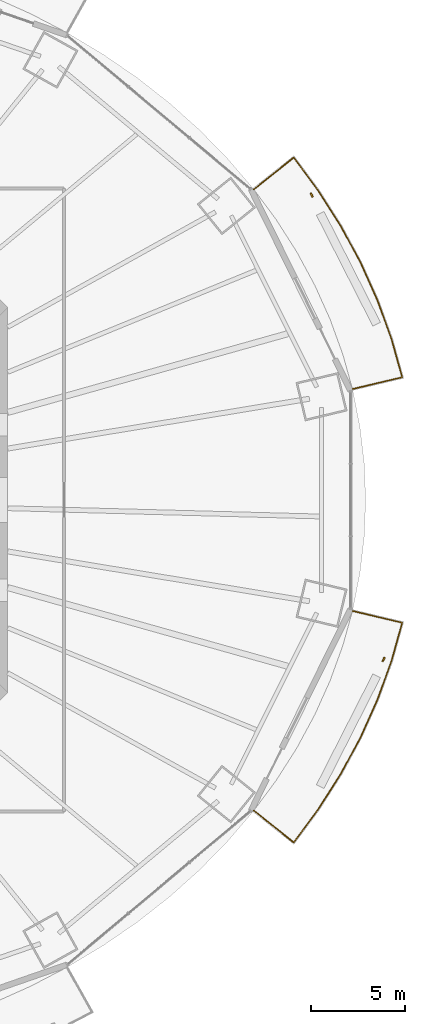
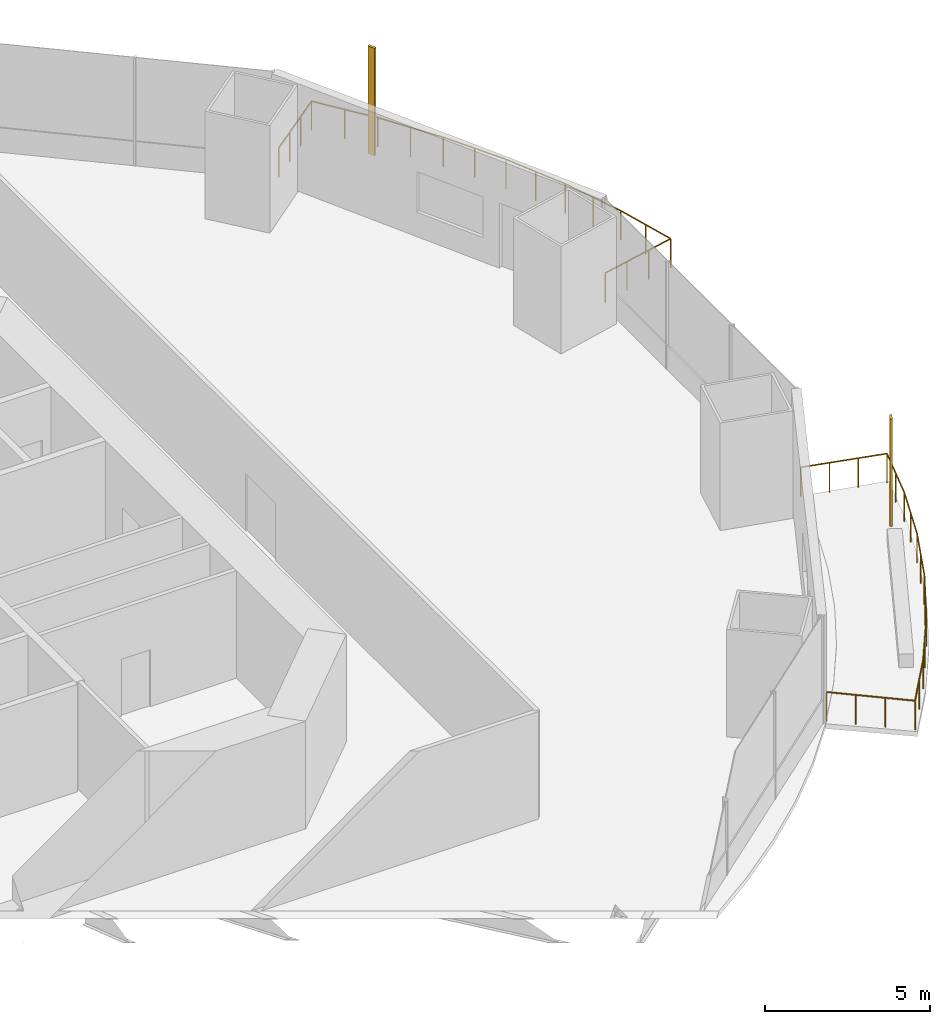
# One storey, part 21 of 22: 2 railings, 2 shading devices.
"""IFC4 building model written with IfcOpenShell, lengths in metres."""

from ifc_helpers import new_model, si_unit, direction, frame, origin, origin_2d, place, context, subcontext, project, spatial, rectangle, circle, extrude, material, material_profile, profile_set, type_object, element, save


model = new_model("IFC4")

# Units and contexts
model_context = context("Model", 3, precision=1e-05, world=origin(), true_north=direction((0.0, 1.0)))
body_context = subcontext(model_context, "Body", "Model", "MODEL_VIEW")
ifc_project = project(units=[si_unit("LENGTHUNIT", "METRE"), si_unit("AREAUNIT", "SQUARE_METRE"), si_unit("VOLUMEUNIT", "CUBIC_METRE"), si_unit("PLANEANGLEUNIT", "RADIAN"), si_unit("MASSUNIT", "GRAM", prefix="KILO")], contexts=[model_context])

# Site, building, storey
site_placement = place(None, origin())
site = spatial("IfcSite", under=ifc_project, at=site_placement, CompositionType="ELEMENT")
building_placement = place(site_placement, origin())
building = spatial("IfcBuilding", under=site, at=building_placement, Name="Marenthal Gate Tower", CompositionType="ELEMENT")
storey_placement = place(building_placement, frame((0.0, 0.0, 78.64990234375)))
storey = spatial("IfcBuildingStorey", under=building, at=storey_placement, Name="L15", CompositionType="ELEMENT", Elevation=78.64990234375)

# Railings
ifc_material_1 = material(Name="Stainless steel", Category="steel")
railing_type = type_object("IfcRailingType", Name="Balcony guard 1100", PredefinedType="GUARDRAIL", material=ifc_material_1)
railing_1_placement = place(storey_placement, frame((29.7109375, 16.55126953125, 0.0)))
element("IfcRailing", 1, at=railing_1_placement, inside=storey, type_object=railing_type, Name="Balcony guard L15 bay 1", PredefinedType="GUARDRAIL", context=body_context, shape_type="SweptSolid", body=[
    extrude(circle(Radius=0.02392578125, at=origin_2d()), frame((0.0, 0.0, 1.076171875), z_axis=(0.782140551652, 0.622930300519, -0.014628675837), x_axis=(-0.622996964186, 0.782224253405, 0.0)), (0.0, 0.0, 1.0), 2.72021484375),
    extrude(circle(Radius=0.02392578125, at=origin_2d()), frame((2.127685546875, 1.694580078125, 1.0361328125), z_axis=(0.594680833833, -0.803961880857, 0.0), x_axis=(0.803961880857, 0.594680833833, 0.0)), (0.0, 0.0, 1.0), 2.17919921875),
    extrude(circle(Radius=0.02392578125, at=origin_2d()), frame((3.423583984375, -0.057373046875, 1.0361328125), z_axis=(0.53758735843, -0.843208059767, 0.0), x_axis=(0.843208059767, 0.53758735843, 0.0)), (0.0, 0.0, 1.0), 2.24072265625),
    extrude(circle(Radius=0.02392578125, at=origin_2d()), frame((4.628173828125, -1.94677734375, 1.0361328125), z_axis=(0.475441262736, -0.879747466997, 0.0), x_axis=(0.879747466997, 0.475441262736, 0.0)), (0.0, 0.0, 1.0), 2.223876953125),
    extrude(circle(Radius=0.02392578125, at=origin_2d()), frame((5.685546875, -3.9033203125, 1.0361328125), z_axis=(0.409519083019, -0.912301551376, 0.0), x_axis=(0.912301551376, 0.409519083019, 0.0)), (0.0, 0.0, 1.0), 2.20947265625),
    extrude(circle(Radius=0.02392578125, at=origin_2d()), frame((6.59033203125, -5.9189453125, 1.0361328125), z_axis=(0.340269936614, -0.940327799353, 0.0), x_axis=(0.940327799353, 0.340269936614, 0.0)), (0.0, 0.0, 1.0), 2.1962890625),
    extrude(circle(Radius=0.02392578125, at=origin_2d()), frame((7.337646484375, -7.984130859375, 1.0361328125), z_axis=(0.26934176956, -0.963044656893, 0.0), x_axis=(0.963044656893, 0.26934176956, 0.0)), (0.0, 0.0, 1.0), 2.105712890625),
    extrude(circle(Radius=0.02392578125, at=origin_2d()), frame((7.90478515625, -10.011962890625, 1.0361328125), z_axis=(-0.972923153232, -0.23066536013, 0.014629748522), x_axis=(0.230690048693, -0.973027287096, 0.0)), (0.0, 0.0, 1.0), 2.72021484375),
    extrude(circle(Radius=0.02099609375, at=origin_2d()), origin(), (0.0, 0.0, 1.0), 1.052001953125),
    extrude(circle(Radius=0.02099609375, at=origin_2d()), frame((0.709228515625, 0.56494140625, -0.01318359375)), (0.0, 0.0, 1.0), 1.052001953125),
    extrude(circle(Radius=0.02099609375, at=origin_2d()), frame((1.41845703125, 1.129638671875, -0.026611328125)), (0.0, 0.0, 1.0), 1.052001953125),
    extrude(circle(Radius=0.02099609375, at=origin_2d()), frame((2.127685546875, 1.694580078125, -0.039794921875)), (0.0, 0.0, 1.0), 1.052001953125),
    extrude(circle(Radius=0.02099609375, at=origin_2d()), frame((2.775634765625, 0.818603515625, -0.039794921875)), (0.0, 0.0, 1.0), 1.052001953125),
    extrude(circle(Radius=0.02099609375, at=origin_2d()), frame((3.423583984375, -0.057373046875, -0.039794921875)), (0.0, 0.0, 1.0), 1.052001953125),
    extrude(circle(Radius=0.02099609375, at=origin_2d()), frame((4.02587890625, -1.001953125, -0.039794921875)), (0.0, 0.0, 1.0), 1.052001953125),
    extrude(circle(Radius=0.02099609375, at=origin_2d()), frame((4.628173828125, -1.94677734375, -0.039794921875)), (0.0, 0.0, 1.0), 1.052001953125),
    extrude(circle(Radius=0.02099609375, at=origin_2d()), frame((5.15673828125, -2.925048828125, -0.039794921875)), (0.0, 0.0, 1.0), 1.052001953125),
    extrude(circle(Radius=0.02099609375, at=origin_2d()), frame((5.685546875, -3.9033203125, -0.039794921875)), (0.0, 0.0, 1.0), 1.052001953125),
    extrude(circle(Radius=0.02099609375, at=origin_2d()), frame((6.137939453125, -4.9111328125, -0.039794921875)), (0.0, 0.0, 1.0), 1.052001953125),
    extrude(circle(Radius=0.02099609375, at=origin_2d()), frame((6.59033203125, -5.9189453125, -0.039794921875)), (0.0, 0.0, 1.0), 1.052001953125),
    extrude(circle(Radius=0.02099609375, at=origin_2d()), frame((6.9638671875, -6.95166015625, -0.039794921875)), (0.0, 0.0, 1.0), 1.052001953125),
    extrude(circle(Radius=0.02099609375, at=origin_2d()), frame((7.337646484375, -7.984130859375, -0.039794921875)), (0.0, 0.0, 1.0), 1.052001953125),
    extrude(circle(Radius=0.02099609375, at=origin_2d()), frame((7.62109375, -8.998046875, -0.039794921875)), (0.0, 0.0, 1.0), 1.052001953125),
    extrude(circle(Radius=0.02099609375, at=origin_2d()), frame((7.90478515625, -10.011962890625, -0.039794921875)), (0.0, 0.0, 1.0), 1.052001953125),
    extrude(circle(Radius=0.02099609375, at=origin_2d()), frame((7.022705078125, -10.22119140625, -0.026611328125)), (0.0, 0.0, 1.0), 1.052001953125),
    extrude(circle(Radius=0.02099609375, at=origin_2d()), frame((6.140380859375, -10.43017578125, -0.01318359375)), (0.0, 0.0, 1.0), 1.052001953125),
    extrude(circle(Radius=0.02099609375, at=origin_2d()), frame((5.25830078125, -10.639404296875, 0.0)), (0.0, 0.0, 1.0), 1.052001953125),
])
railing_2_placement = place(storey_placement, frame((34.96923828125, -5.911865234375, 0.0)))
element("IfcRailing", 2, at=railing_2_placement, inside=storey, type_object=railing_type, Name="Balcony guard L15 bay 15", PredefinedType="GUARDRAIL", context=body_context, shape_type="SweptSolid", body=[
    extrude(circle(Radius=0.02392578125, at=origin_2d()), frame((0.0, 0.0, 1.076171875), z_axis=(0.972923153232, -0.23066536013, -0.014629748522), x_axis=(0.230690048693, 0.973027287096, 0.0)), (0.0, 0.0, 1.0), 2.72021484375),
    extrude(circle(Radius=0.02392578125, at=origin_2d()), frame((2.646484375, -0.62744140625, 1.0361328125), z_axis=(-0.26934176956, -0.963044656893, 0.0), x_axis=(0.963044656893, -0.26934176956, 0.0)), (0.0, 0.0, 1.0), 2.105712890625),
    extrude(circle(Radius=0.02392578125, at=origin_2d()), frame((2.079345703125, -2.6552734375, 1.0361328125), z_axis=(-0.340269936614, -0.940327799353, 0.0), x_axis=(0.940327799353, -0.340269936614, 0.0)), (0.0, 0.0, 1.0), 2.1962890625),
    extrude(circle(Radius=0.02392578125, at=origin_2d()), frame((1.33203125, -4.720458984375, 1.0361328125), z_axis=(-0.409519083019, -0.912301551376, 0.0), x_axis=(0.912301551376, -0.409519083019, 0.0)), (0.0, 0.0, 1.0), 2.20947265625),
    extrude(circle(Radius=0.02392578125, at=origin_2d()), frame((0.42724609375, -6.736083984375, 1.0361328125), z_axis=(-0.475441262736, -0.879747466997, 0.0), x_axis=(0.879747466997, -0.475441262736, 0.0)), (0.0, 0.0, 1.0), 2.223876953125),
    extrude(circle(Radius=0.02392578125, at=origin_2d()), frame((-0.630126953125, -8.692626953125, 1.0361328125), z_axis=(-0.53758735843, -0.843208059767, 0.0), x_axis=(0.843208059767, -0.53758735843, 0.0)), (0.0, 0.0, 1.0), 2.24072265625),
    extrude(circle(Radius=0.02392578125, at=origin_2d()), frame((-1.834716796875, -10.58203125, 1.0361328125), z_axis=(-0.594680833833, -0.803961880857, 0.0), x_axis=(0.803961880857, -0.594680833833, 0.0)), (0.0, 0.0, 1.0), 2.17919921875),
    extrude(circle(Radius=0.02392578125, at=origin_2d()), frame((-3.130615234375, -12.333984375, 1.0361328125), z_axis=(-0.782140551652, 0.622930300519, 0.014628675837), x_axis=(-0.622996964186, -0.782224253405, 0.0)), (0.0, 0.0, 1.0), 2.72021484375),
    extrude(circle(Radius=0.02099609375, at=origin_2d()), origin(), (0.0, 0.0, 1.0), 1.052001953125),
    extrude(circle(Radius=0.02099609375, at=origin_2d()), frame((0.882080078125, -0.209228515625, -0.01318359375)), (0.0, 0.0, 1.0), 1.052001953125),
    extrude(circle(Radius=0.02099609375, at=origin_2d()), frame((1.764404296875, -0.418212890625, -0.026611328125)), (0.0, 0.0, 1.0), 1.052001953125),
    extrude(circle(Radius=0.02099609375, at=origin_2d()), frame((2.646484375, -0.62744140625, -0.039794921875)), (0.0, 0.0, 1.0), 1.052001953125),
    extrude(circle(Radius=0.02099609375, at=origin_2d()), frame((2.36279296875, -1.641357421875, -0.039794921875)), (0.0, 0.0, 1.0), 1.052001953125),
    extrude(circle(Radius=0.02099609375, at=origin_2d()), frame((2.079345703125, -2.6552734375, -0.039794921875)), (0.0, 0.0, 1.0), 1.052001953125),
    extrude(circle(Radius=0.02099609375, at=origin_2d()), frame((1.70556640625, -3.68798828125, -0.039794921875)), (0.0, 0.0, 1.0), 1.052001953125),
    extrude(circle(Radius=0.02099609375, at=origin_2d()), frame((1.33203125, -4.720458984375, -0.039794921875)), (0.0, 0.0, 1.0), 1.052001953125),
    extrude(circle(Radius=0.02099609375, at=origin_2d()), frame((0.879638671875, -5.728271484375, -0.039794921875)), (0.0, 0.0, 1.0), 1.052001953125),
    extrude(circle(Radius=0.02099609375, at=origin_2d()), frame((0.42724609375, -6.736083984375, -0.039794921875)), (0.0, 0.0, 1.0), 1.052001953125),
    extrude(circle(Radius=0.02099609375, at=origin_2d()), frame((-0.1015625, -7.71435546875, -0.039794921875)), (0.0, 0.0, 1.0), 1.052001953125),
    extrude(circle(Radius=0.02099609375, at=origin_2d()), frame((-0.630126953125, -8.692626953125, -0.039794921875)), (0.0, 0.0, 1.0), 1.052001953125),
    extrude(circle(Radius=0.02099609375, at=origin_2d()), frame((-1.232421875, -9.63720703125, -0.039794921875)), (0.0, 0.0, 1.0), 1.052001953125),
    extrude(circle(Radius=0.02099609375, at=origin_2d()), frame((-1.834716796875, -10.58203125, -0.039794921875)), (0.0, 0.0, 1.0), 1.052001953125),
    extrude(circle(Radius=0.02099609375, at=origin_2d()), frame((-2.482666015625, -11.4580078125, -0.039794921875)), (0.0, 0.0, 1.0), 1.052001953125),
    extrude(circle(Radius=0.02099609375, at=origin_2d()), frame((-3.130615234375, -12.333984375, -0.039794921875)), (0.0, 0.0, 1.0), 1.052001953125),
    extrude(circle(Radius=0.02099609375, at=origin_2d()), frame((-3.83984375, -11.76904296875, -0.026611328125)), (0.0, 0.0, 1.0), 1.052001953125),
    extrude(circle(Radius=0.02099609375, at=origin_2d()), frame((-4.549072265625, -11.204345703125, -0.01318359375)), (0.0, 0.0, 1.0), 1.052001953125),
    extrude(circle(Radius=0.02099609375, at=origin_2d()), frame((-5.25830078125, -10.639404296875, 0.0)), (0.0, 0.0, 1.0), 1.052001953125),
])

# Shading devices
ifc_material_2 = material(Name="Terracotta", Category="masonry")
ifc_material_profile = material_profile(ifc_material_2, rectangle(XDim=0.25, YDim=0.080078125, at=origin_2d()), Name="Terracotta baguette 250x80")
ifc_profile_set = profile_set([ifc_material_profile], Name="Terracotta")
shading_device_type = type_object("IfcShadingDeviceType", Name="Terracotta BAGUETTE SCREEN 250x80", PredefinedType="USERDEFINED", material=ifc_profile_set)
for number, where, z_axis, x_axis, name in (
    (3, (32.795166015625, 16.2470703125, -0.039794921875), (0.0, 0.0, 1.0), (-0.44293870584, 0.896551896361, 0.0), "Terracotta BAGUETTE L15 bay 1R"),
    (4, (36.624755859375, -8.495361328125, -0.039794921875), (0.0, 0.0, 1.0), (0.44293870584, 0.896551896361, 0.0), "Terracotta BAGUETTE L15 bay 15R"),
):
    element("IfcShadingDevice", number, at=place(storey_placement, frame(where, z_axis=z_axis, x_axis=x_axis)), inside=storey, type_object=shading_device_type, Name=name, ObjectType="BAGUETTE SCREEN", PredefinedType="USERDEFINED", context=body_context, shape_type="SweptSolid", body=[
        extrude(rectangle(XDim=0.25, YDim=0.080078125, at=origin_2d()), origin(), (0.0, 0.0, 1.0), 3.969970703125),
    ])

save(model, "model.ifc")
